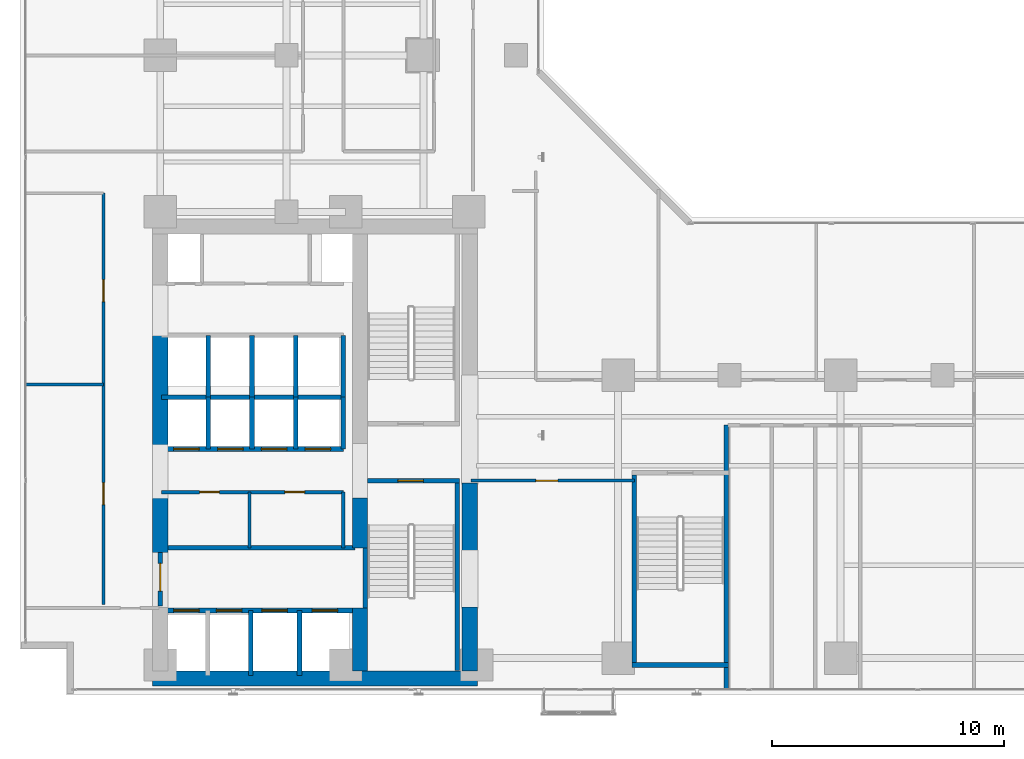
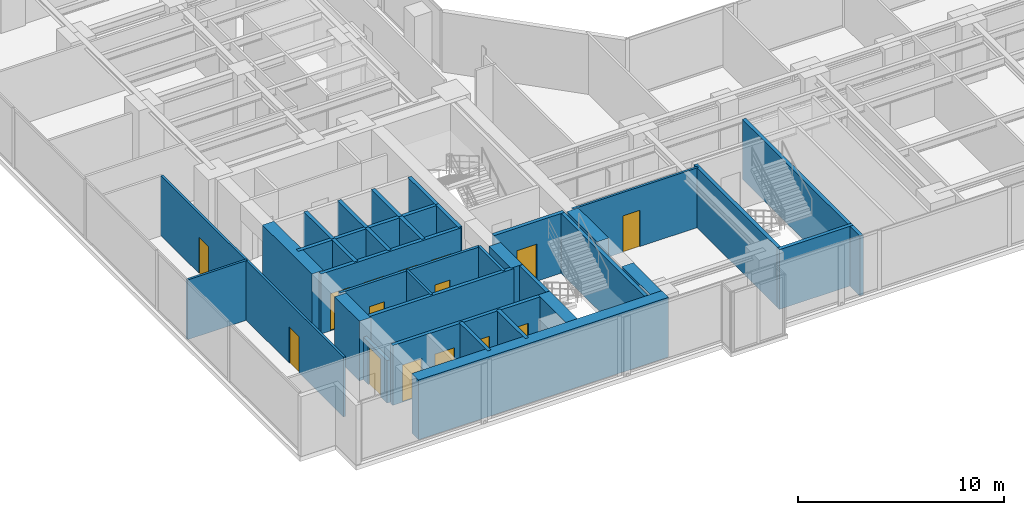
# One storey, part 19 of 26: 34 walls, 15 doors, 15 openings.
"""IFC4 building model written with IfcOpenShell, lengths in metres."""

from ifc_helpers import new_model, si_unit, direction, frame, frame_2d, origin, place, context, subcontext, project, spatial, rectangle, extrude, material, layer, layer_set, type_object, element, fill, save


model = new_model("IFC4")

# Units and contexts
model_context = context("Model", 3, precision=1e-05, world=origin(), true_north=direction((0.0, 1.0)))
body_context = subcontext(model_context, "Body", "Model", "MODEL_VIEW")
ifc_project = project(units=[si_unit("LENGTHUNIT", "METRE"), si_unit("AREAUNIT", "SQUARE_METRE"), si_unit("VOLUMEUNIT", "CUBIC_METRE"), si_unit("PLANEANGLEUNIT", "RADIAN"), si_unit("MASSUNIT", "GRAM", prefix="KILO")], contexts=[model_context])

# Site, building, storey
site_placement = place(None, origin())
site = spatial("IfcSite", under=ifc_project, at=site_placement, CompositionType="ELEMENT")
building_placement = place(site_placement, origin())
building = spatial("IfcBuilding", under=site, at=building_placement, Name="Kolvaren Waterfront Exchange", CompositionType="ELEMENT")
storey_placement = place(building_placement, frame((0.0, 0.0, 122.10009765625)))
storey = spatial("IfcBuildingStorey", under=building, at=storey_placement, Name="L31", CompositionType="ELEMENT", Elevation=122.10009765625)

# Wall, opening, door
ifc_material_1 = material(Name="Precast concrete C40/50", Category="concrete")
ifc_layer_1 = layer(ifc_material_1, 0.199951171875, Name="Precast concrete C40/50")
ifc_layer_set_1 = layer_set([ifc_layer_1], Name="Precast concrete C40/50")
wall_type_1 = type_object("IfcWallType", Name="ARC-FIRE-200", PredefinedType="PARTITIONING", material=ifc_layer_set_1)
wall_1_placement = place(storey_placement, frame((16.39990234375, 12.85009765625, 0.0), z_axis=(0.0, 0.0, 1.0), x_axis=(1.0, 0.0, 0.0)))
wall_1 = element("IfcWall", 1, at=wall_1_placement, inside=storey, type_object=wall_type_1, Name="L31 interior wall PW-L31-ST1-THROAT-S", PredefinedType="PARTITIONING", context=body_context, shape_type="SweptSolid", body=[
    extrude(rectangle(XDim=3.960205078125, YDim=0.199951171875, at=frame_2d((1.97998046875, 0.0))), origin(), (0.0, 0.0, 1.0), 3.539794921875),
])
opening_1_placement = place(wall_1_placement, frame((1.3037109375, 0.0, 0.0)))
opening_1 = element("IfcOpeningElement", 2, at=opening_1_placement, cuts=wall_1, Name="Opening FD2", PredefinedType="OPENING", context=body_context, shape_type="SweptSolid", body=[
    extrude(rectangle(XDim=1.10009765625, YDim=2.199951171875, at=frame_2d((0.550048828125, 1.10009765625))), frame((0.0, 0.10986328125, 0.0), z_axis=(0.0, -1.0, 0.0), x_axis=(1.0, 0.0, 0.0)), (0.0, 0.0, 1.0), 0.219970703125),
])
ifc_material_2 = material(Name="Pressed steel smoke-seal fire door", Category="steel")
door_type_1 = type_object("IfcDoorType", Name="ARC-FD-1100", OperationType="NOTDEFINED", PredefinedType="DOOR", material=ifc_material_2)
door_1_placement = place(opening_1_placement, frame((1.10009765625, 0.0, 0.0), z_axis=(0.0, 0.0, 1.0), x_axis=(-1.0, 0.0, 0.0)))
door_1 = element("IfcDoor", 3, at=door_1_placement, inside=storey, type_object=door_type_1, Name="L31 door DR-L31-ST1-IN (FD2)", OperationType="SINGLE_SWING_LEFT", OverallHeight=2.199951171875, OverallWidth=1.10009765625, PredefinedType="DOOR", context=body_context, shape_type="SweptSolid", body=[
    extrude(rectangle(XDim=1.10009765625, YDim=2.199951171875, at=frame_2d((0.550048828125, 1.10009765625))), frame((0.0, 0.02490234375, 0.0), z_axis=(0.0, -1.0, 0.0), x_axis=(1.0, 0.0, 0.0)), (0.0, 0.0, 1.0), 0.050048828125),
])
fill(opening_1, door_1)

# Wall
wall_2_placement = place(storey_placement, frame((7.5, 9.949951171875, 0.0), z_axis=(0.0, 0.0, 1.0), x_axis=(1.0, 0.0, 0.0)))
element("IfcWall", 4, at=wall_2_placement, inside=storey, type_object=wall_type_1, Name="L31 interior wall PW-L31-FF-N", PredefinedType="PARTITIONING", context=body_context, shape_type="SweptSolid", body=[
    extrude(rectangle(XDim=8.35009765625, YDim=0.199951171875, at=frame_2d((4.175048828125, 0.0))), origin(), (0.0, 0.0, 1.0), 3.539794921875),
])

# Wall, opening, door
wall_3_placement = place(storey_placement, frame((7.449951171875, 7.449951171875, 0.0), z_axis=(0.0, 0.0, 1.0), x_axis=(0.0, 1.0, 0.0)))
wall_3 = element("IfcWall", 5, at=wall_3_placement, inside=storey, type_object=wall_type_1, Name="L31 interior wall PW-L31-FF-W-DOOR", PredefinedType="PARTITIONING", context=body_context, shape_type="SweptSolid", body=[
    extrude(rectangle(XDim=2.300048828125, YDim=0.199951171875, at=frame_2d((1.14990234375, 0.0))), origin(), (0.0, 0.0, 1.0), 2.52001953125),
])
opening_2_placement = place(wall_3_placement, frame((0.63330078125, 0.0, 0.0)))
opening_2 = element("IfcOpeningElement", 6, at=opening_2_placement, cuts=wall_3, Name="Opening FD3", PredefinedType="OPENING", context=body_context, shape_type="SweptSolid", body=[
    extrude(rectangle(XDim=1.199951171875, YDim=2.25, at=frame_2d((0.60009765625, 1.125))), frame((0.0, 0.10986328125, 0.0), z_axis=(0.0, -1.0, 0.0), x_axis=(1.0, 0.0, 0.0)), (0.0, 0.0, 1.0), 0.219970703125),
])
ifc_material_3 = material(Name="Pressed steel fire door", Category="steel")
door_type_2 = type_object("IfcDoorType", Name="ARC-FD-1200", OperationType="NOTDEFINED", PredefinedType="DOOR", material=ifc_material_3)
door_2_placement = place(opening_2_placement, frame((1.199951171875, 0.0, 0.0), z_axis=(0.0, 0.0, 1.0), x_axis=(-1.0, 0.0, 0.0)))
door_2 = element("IfcDoor", 7, at=door_2_placement, inside=storey, type_object=door_type_2, Name="L31 door DR-L31-FF-OUT (FD3)", OperationType="SINGLE_SWING_RIGHT", OverallHeight=2.25, OverallWidth=1.199951171875, PredefinedType="DOOR", context=body_context, shape_type="SweptSolid", body=[
    extrude(rectangle(XDim=1.199951171875, YDim=2.25, at=frame_2d((0.60009765625, 1.125))), frame((0.0, 0.02490234375, 0.0), z_axis=(0.0, -1.0, 0.0), x_axis=(1.0, 0.0, 0.0)), (0.0, 0.0, 1.0), 0.050048828125),
])
fill(opening_2, door_2)

# Wall
ifc_material_4 = material(Name="Acoustic gypsum steel stud", Category="steel")
ifc_layer_2 = layer(ifc_material_4, 0.125, Name="Acoustic gypsum steel stud")
ifc_layer_set_2 = layer_set([ifc_layer_2], Name="Acoustic gypsum steel stud")
wall_type_2 = type_object("IfcWallType", Name="ARC-PART-125", PredefinedType="PARTITIONING", material=ifc_layer_set_2)
wall_4_placement = place(storey_placement, frame((11.300048828125, 9.949951171875, 0.0), z_axis=(0.0, 0.0, 1.0), x_axis=(0.0, 1.0, 0.0)))
element("IfcWall", 8, at=wall_4_placement, inside=storey, type_object=wall_type_2, Name="L31 interior wall PW-L31-REC-PL-MID", PredefinedType="PARTITIONING", context=body_context, shape_type="SweptSolid", body=[
    extrude(rectangle(XDim=2.41015625, YDim=0.125, at=frame_2d((1.205078125, 0.0))), origin(), (0.0, 0.0, 1.0), 3.539794921875),
])

# Wall, openings, doors
wall_5_placement = place(storey_placement, frame((5.0, 7.5, 0.0), z_axis=(0.0, 0.0, 1.0), x_axis=(0.0, 1.0, 0.0)))
wall_5 = element("IfcWall", 9, at=wall_5_placement, inside=storey, type_object=wall_type_2, Name="L31 interior wall PW-L31-WFLANK-E", PredefinedType="PARTITIONING", context=body_context, shape_type="SweptSolid", body=[
    extrude(rectangle(XDim=17.75, YDim=0.125, at=frame_2d((8.875, 0.0))), origin(), (0.0, 0.0, 1.0), 3.539794921875),
])
opening_3_placement = place(wall_5_placement, frame((4.320068359375, 0.0, 0.0)))
opening_3 = element("IfcOpeningElement", 10, at=opening_3_placement, cuts=wall_5, Name="Opening D02", PredefinedType="OPENING", context=body_context, shape_type="SweptSolid", body=[
    extrude(rectangle(XDim=0.949951171875, YDim=2.14990234375, at=frame_2d((0.47509765625, 1.074951171875))), frame((0.0, 0.072509765625, 0.0), z_axis=(0.0, -1.0, 0.0), x_axis=(1.0, 0.0, 0.0)), (0.0, 0.0, 1.0), 0.14501953125),
])
opening_4_placement = place(wall_5_placement, frame((13.078857421875, 0.0, 0.0)))
opening_4 = element("IfcOpeningElement", 11, at=opening_4_placement, cuts=wall_5, Name="Opening D02", PredefinedType="OPENING", context=body_context, shape_type="SweptSolid", body=[
    extrude(rectangle(XDim=0.949951171875, YDim=2.14990234375, at=frame_2d((0.47509765625, 1.074951171875))), frame((0.0, 0.072509765625, 0.0), z_axis=(0.0, -1.0, 0.0), x_axis=(1.0, 0.0, 0.0)), (0.0, 0.0, 1.0), 0.14501953125),
])
ifc_material_5 = material(Name="Oak veneer acoustic timber", Category="wood")
door_type_3 = type_object("IfcDoorType", Name="ARC-DR-950", OperationType="NOTDEFINED", PredefinedType="DOOR", material=ifc_material_5)
door_3_placement = place(opening_3_placement, origin())
door_3 = element("IfcDoor", 12, at=door_3_placement, inside=storey, type_object=door_type_3, Name="L31 door DR-L31-WFL1-D (D02)", OperationType="SINGLE_SWING_RIGHT", OverallHeight=2.14990234375, OverallWidth=0.949951171875, PredefinedType="DOOR", context=body_context, shape_type="SweptSolid", body=[
    extrude(rectangle(XDim=0.949951171875, YDim=2.14990234375, at=frame_2d((0.47509765625, 1.074951171875))), frame((0.0, 0.02490234375, 0.0), z_axis=(0.0, -1.0, 0.0), x_axis=(1.0, 0.0, 0.0)), (0.0, 0.0, 1.0), 0.050048828125),
])
fill(opening_3, door_3)
door_4_placement = place(opening_4_placement, origin())
door_4 = element("IfcDoor", 13, at=door_4_placement, inside=storey, type_object=door_type_3, Name="L31 door DR-L31-WFL2-D (D02)", OperationType="SINGLE_SWING_LEFT", OverallHeight=2.14990234375, OverallWidth=0.949951171875, PredefinedType="DOOR", context=body_context, shape_type="SweptSolid", body=[
    extrude(rectangle(XDim=0.949951171875, YDim=2.14990234375, at=frame_2d((0.47509765625, 1.074951171875))), frame((0.0, 0.02490234375, 0.0), z_axis=(0.0, -1.0, 0.0), x_axis=(1.0, 0.0, 0.0)), (0.0, 0.0, 1.0), 0.050048828125),
])
fill(opening_4, door_4)

# Wall
wall_6_placement = place(storey_placement, frame((1.639892578125, 17.0, 0.0), z_axis=(0.0, 0.0, 1.0), x_axis=(1.0, 0.0, 0.0)))
element("IfcWall", 14, at=wall_6_placement, inside=storey, type_object=wall_type_2, Name="L31 interior wall PW-L31-WFLANK-MID", PredefinedType="PARTITIONING", context=body_context, shape_type="SweptSolid", body=[
    extrude(rectangle(XDim=3.360107421875, YDim=0.125, at=frame_2d((1.68017578125, 0.0))), origin(), (0.0, 0.0, 1.0), 3.539794921875),
])

# Wall, opening, door
wall_7_placement = place(storey_placement, frame((20.85009765625, 12.85009765625, 0.0), z_axis=(0.0, 0.0, 1.0), x_axis=(1.0, 0.0, 0.0)))
wall_7 = element("IfcWall", 15, at=wall_7_placement, inside=storey, type_object=wall_type_2, Name="L31 interior wall PW-L31-SWST3-N", PredefinedType="PARTITIONING", context=body_context, shape_type="SweptSolid", body=[
    extrude(rectangle(XDim=7.0498046875, YDim=0.125, at=frame_2d((3.52490234375, 0.0))), origin(), (0.0, 0.0, 1.0), 3.539794921875),
])
opening_5_placement = place(wall_7_placement, frame((2.800048828125, 0.0, 0.0)))
opening_5 = element("IfcOpeningElement", 16, at=opening_5_placement, cuts=wall_7, Name="Opening D02", PredefinedType="OPENING", context=body_context, shape_type="SweptSolid", body=[
    extrude(rectangle(XDim=0.949951171875, YDim=2.14990234375, at=frame_2d((0.47509765625, 1.074951171875))), frame((0.0, 0.072509765625, 0.0), z_axis=(0.0, -1.0, 0.0), x_axis=(1.0, 0.0, 0.0)), (0.0, 0.0, 1.0), 0.14501953125),
])
door_5_placement = place(opening_5_placement, origin())
door_5 = element("IfcDoor", 17, at=door_5_placement, inside=storey, type_object=door_type_3, Name="L31 door DR-L31-SWST3-D (D02)", OperationType="SINGLE_SWING_RIGHT", OverallHeight=2.14990234375, OverallWidth=0.949951171875, PredefinedType="DOOR", context=body_context, shape_type="SweptSolid", body=[
    extrude(rectangle(XDim=0.949951171875, YDim=2.14990234375, at=frame_2d((0.47509765625, 1.074951171875))), frame((0.0, 0.02490234375, 0.0), z_axis=(0.0, -1.0, 0.0), x_axis=(1.0, 0.0, 0.0)), (0.0, 0.0, 1.0), 0.050048828125),
])
fill(opening_5, door_5)

# Wall, openings, doors
ifc_material_6 = material(Name="Gypsum fireboard steel stud", Category="steel")
ifc_layer_3 = layer(ifc_material_6, 0.14990234375, Name="Gypsum fireboard steel stud")
ifc_layer_set_3 = layer_set([ifc_layer_3], Name="Gypsum fireboard steel stud")
wall_type_3 = type_object("IfcWallType", Name="ARC-PART-150", PredefinedType="PARTITIONING", material=ifc_layer_set_3)
wall_8_placement = place(storey_placement, frame((7.5, 12.360107421875, 0.0), z_axis=(0.0, 0.0, 1.0), x_axis=(1.0, 0.0, 0.0)))
wall_8 = element("IfcWall", 18, at=wall_8_placement, inside=storey, type_object=wall_type_3, Name="L31 interior wall PW-L31-REC-PL-N", PredefinedType="PARTITIONING", context=body_context, shape_type="SweptSolid", body=[
    extrude(rectangle(XDim=7.85009765625, YDim=0.14990234375, at=frame_2d((3.925048828125, 0.0))), origin(), (0.0, 0.0, 1.0), 3.539794921875),
])
opening_6_placement = place(wall_8_placement, frame((1.64990234375, 0.0, 0.0)))
opening_6 = element("IfcOpeningElement", 19, at=opening_6_placement, cuts=wall_8, Name="Opening D01", PredefinedType="OPENING", context=body_context, shape_type="SweptSolid", body=[
    extrude(rectangle(XDim=0.85009765625, YDim=2.14990234375, at=frame_2d((0.425048828125, 1.074951171875))), frame((0.0, 0.0849609375, 0.0), z_axis=(0.0, -1.0, 0.0), x_axis=(1.0, 0.0, 0.0)), (0.0, 0.0, 1.0), 0.169921875),
])
opening_7_placement = place(wall_8_placement, frame((5.329345703125, 0.0, 0.0)))
opening_7 = element("IfcOpeningElement", 20, at=opening_7_placement, cuts=wall_8, Name="Opening D01", PredefinedType="OPENING", context=body_context, shape_type="SweptSolid", body=[
    extrude(rectangle(XDim=0.85009765625, YDim=2.14990234375, at=frame_2d((0.425048828125, 1.074951171875))), frame((0.0, 0.0849609375, 0.0), z_axis=(0.0, -1.0, 0.0), x_axis=(1.0, 0.0, 0.0)), (0.0, 0.0, 1.0), 0.169921875),
])
ifc_material_7 = material(Name="Oak veneer timber leaf", Category="wood")
door_type_4 = type_object("IfcDoorType", Name="ARC-DR-900", OperationType="NOTDEFINED", PredefinedType="DOOR", material=ifc_material_7)
door_6_placement = place(opening_6_placement, origin())
door_6 = element("IfcDoor", 21, at=door_6_placement, inside=storey, type_object=door_type_4, Name="L31 door DR-L31-REC-PL-D1 (D01)", OperationType="SINGLE_SWING_LEFT", OverallHeight=2.14990234375, OverallWidth=0.85009765625, PredefinedType="DOOR", context=body_context, shape_type="SweptSolid", body=[
    extrude(rectangle(XDim=0.85009765625, YDim=2.14990234375, at=frame_2d((0.425048828125, 1.074951171875))), frame((0.0, 0.02490234375, 0.0), z_axis=(0.0, -1.0, 0.0), x_axis=(1.0, 0.0, 0.0)), (0.0, 0.0, 1.0), 0.050048828125),
])
fill(opening_6, door_6)
door_7_placement = place(opening_7_placement, origin())
door_7 = element("IfcDoor", 22, at=door_7_placement, inside=storey, type_object=door_type_4, Name="L31 door DR-L31-REC-PL-D2 (D01)", OperationType="SINGLE_SWING_RIGHT", OverallHeight=2.14990234375, OverallWidth=0.85009765625, PredefinedType="DOOR", context=body_context, shape_type="SweptSolid", body=[
    extrude(rectangle(XDim=0.85009765625, YDim=2.14990234375, at=frame_2d((0.425048828125, 1.074951171875))), frame((0.0, 0.02490234375, 0.0), z_axis=(0.0, -1.0, 0.0), x_axis=(1.0, 0.0, 0.0)), (0.0, 0.0, 1.0), 0.050048828125),
])
fill(opening_7, door_7)

# Walls
wall_9_placement = place(storey_placement, frame((15.35009765625, 9.949951171875, 0.0), z_axis=(0.0, 0.0, 1.0), x_axis=(0.0, 1.0, 0.0)))
element("IfcWall", 23, at=wall_9_placement, inside=storey, type_object=wall_type_3, Name="L31 interior wall PW-L31-REC-PL-E", PredefinedType="PARTITIONING", context=body_context, shape_type="SweptSolid", body=[
    extrude(rectangle(XDim=2.41015625, YDim=0.14990234375, at=frame_2d((1.205078125, 0.0))), origin(), (0.0, 0.0, 1.0), 3.539794921875),
])
ifc_material_8 = material(Name="Concrete C40/50", Category="concrete")
ifc_layer_4 = layer(ifc_material_8, 0.199951171875, Name="Concrete C40/50")
ifc_layer_set_4 = layer_set([ifc_layer_4], Name="Concrete C40/50")
wall_type_4 = type_object("IfcWallType", Name="ARC-SHAFT-200", PredefinedType="PARTITIONING", material=ifc_layer_set_4)
wall_10_placement = place(storey_placement, frame((16.300048828125, 7.360107421875, 0.0), z_axis=(0.0, 0.0, 1.0), x_axis=(0.0, 1.0, 0.0)))
element("IfcWall", 24, at=wall_10_placement, inside=storey, type_object=wall_type_4, Name="L31 structural stairwell wall PW-L31-ST1-W", PredefinedType="SHEAR", context=body_context, shape_type="SweptSolid", body=[
    extrude(rectangle(XDim=2.579833984375, YDim=0.199951171875, at=frame_2d((1.2900390625, 0.0))), origin(), (0.0, 0.0, 1.0), 3.539794921875),
])
wall_11_placement = place(storey_placement, frame((20.260009765625, 4.659912109375, 0.0), z_axis=(0.0, 0.0, 1.0), x_axis=(0.0, 1.0, 0.0)))
element("IfcWall", 25, at=wall_11_placement, inside=storey, type_object=wall_type_4, Name="L31 structural stairwell wall PW-L31-ST1-E", PredefinedType="SHEAR", context=body_context, shape_type="SweptSolid", body=[
    extrude(rectangle(XDim=8.090087890625, YDim=0.199951171875, at=frame_2d((4.044921875, 0.0))), origin(), (0.0, 0.0, 1.0), 3.539794921875),
])
wall_12_placement = place(storey_placement, frame((27.89990234375, 5.0, 0.0), z_axis=(0.0, 0.0, 1.0), x_axis=(0.0, 1.0, 0.0)))
element("IfcWall", 26, at=wall_12_placement, inside=storey, type_object=wall_type_4, Name="L31 structural stairwell wall PW-L31-ST3-W", PredefinedType="SHEAR", context=body_context, shape_type="SweptSolid", body=[
    extrude(rectangle(XDim=8.10009765625, YDim=0.199951171875, at=frame_2d((4.050048828125, 0.0))), origin(), (0.0, 0.0, 1.0), 3.539794921875),
])
wall_13_placement = place(storey_placement, frame((31.860107421875, 3.840087890625, 0.0), z_axis=(0.0, 0.0, 1.0), x_axis=(0.0, 1.0, 0.0)))
element("IfcWall", 27, at=wall_13_placement, inside=storey, type_object=wall_type_4, Name="L31 structural stairwell wall PW-L31-ST3-E", PredefinedType="SHEAR", context=body_context, shape_type="SweptSolid", body=[
    extrude(rectangle(XDim=11.409912109375, YDim=0.199951171875, at=frame_2d((5.705078125, 0.0))), origin(), (0.0, 0.0, 1.0), 3.539794921875),
])
wall_14_placement = place(storey_placement, frame((27.800048828125, 4.89990234375, 0.0), z_axis=(0.0, 0.0, 1.0), x_axis=(1.0, 0.0, 0.0)))
element("IfcWall", 28, at=wall_14_placement, inside=storey, type_object=wall_type_4, Name="L31 structural stairwell wall PW-L31-ST3-S", PredefinedType="SHEAR", context=body_context, shape_type="SweptSolid", body=[
    extrude(rectangle(XDim=4.159912109375, YDim=0.199951171875, at=frame_2d((2.080078125, 0.0))), origin(), (0.0, 0.0, 1.0), 3.539794921875),
])

# Wall, openings, doors
wall_15_placement = place(storey_placement, frame((7.5, 7.25, 0.0), z_axis=(0.0, 0.0, 1.0), x_axis=(1.0, 0.0, 0.0)))
wall_15 = element("IfcWall", 29, at=wall_15_placement, inside=storey, type_object=wall_type_4, Name="L31 interior wall PW-L31-FF-S", PredefinedType="PARTITIONING", context=body_context, shape_type="SweptSolid", body=[
    extrude(rectangle(XDim=8.35009765625, YDim=0.199951171875, at=frame_2d((4.175048828125, 0.0))), origin(), (0.0, 0.0, 1.0), 3.539794921875),
])
opening_8_placement = place(wall_15_placement, frame((0.530029296875, 0.0, 0.0)))
opening_8 = element("IfcOpeningElement", 30, at=opening_8_placement, cuts=wall_15, Name="Opening LD1", PredefinedType="OPENING", context=body_context, shape_type="SweptSolid", body=[
    extrude(rectangle(XDim=1.10009765625, YDim=2.199951171875, at=frame_2d((0.550048828125, 1.10009765625))), frame((0.0, 0.10986328125, 0.0), z_axis=(0.0, -1.0, 0.0), x_axis=(1.0, 0.0, 0.0)), (0.0, 0.0, 1.0), 0.219970703125),
])
opening_9_placement = place(wall_15_placement, frame((2.3701171875, 0.0, 0.0)))
opening_9 = element("IfcOpeningElement", 31, at=opening_9_placement, cuts=wall_15, Name="Opening LD1", PredefinedType="OPENING", context=body_context, shape_type="SweptSolid", body=[
    extrude(rectangle(XDim=1.10009765625, YDim=2.199951171875, at=frame_2d((0.550048828125, 1.10009765625))), frame((0.0, 0.10986328125, 0.0), z_axis=(0.0, -1.0, 0.0), x_axis=(1.0, 0.0, 0.0)), (0.0, 0.0, 1.0), 0.219970703125),
])
opening_10_placement = place(wall_15_placement, frame((4.330078125, 0.0, 0.0)))
opening_10 = element("IfcOpeningElement", 32, at=opening_10_placement, cuts=wall_15, Name="Opening LD1", PredefinedType="OPENING", context=body_context, shape_type="SweptSolid", body=[
    extrude(rectangle(XDim=1.10009765625, YDim=2.199951171875, at=frame_2d((0.550048828125, 1.10009765625))), frame((0.0, 0.10986328125, 0.0), z_axis=(0.0, -1.0, 0.0), x_axis=(1.0, 0.0, 0.0)), (0.0, 0.0, 1.0), 0.219970703125),
])
opening_11_placement = place(wall_15_placement, frame((6.5, 0.0, 0.0)))
opening_11 = element("IfcOpeningElement", 33, at=opening_11_placement, cuts=wall_15, Name="Opening LD1", PredefinedType="OPENING", context=body_context, shape_type="SweptSolid", body=[
    extrude(rectangle(XDim=1.10009765625, YDim=2.199951171875, at=frame_2d((0.550048828125, 1.10009765625))), frame((0.0, 0.10986328125, 0.0), z_axis=(0.0, -1.0, 0.0), x_axis=(1.0, 0.0, 0.0)), (0.0, 0.0, 1.0), 0.219970703125),
])
ifc_material_9 = material(Name="Stainless steel sliding landing door", Category="steel")
door_type_5 = type_object("IfcDoorType", Name="ARC-LD-FF", OperationType="SLIDING_TO_LEFT", PredefinedType="DOOR", material=ifc_material_9)
door_8_placement = place(opening_8_placement, origin())
door_8 = element("IfcDoor", 34, at=door_8_placement, inside=storey, type_object=door_type_5, Name="L31 door LD-L31-FFL1 (LD1)", OperationType="SLIDING_TO_LEFT", OverallHeight=2.199951171875, OverallWidth=1.10009765625, PredefinedType="DOOR", context=body_context, shape_type="SweptSolid", body=[
    extrude(rectangle(XDim=1.10009765625, YDim=2.199951171875, at=frame_2d((0.550048828125, 1.10009765625))), frame((0.0, 0.02490234375, 0.0), z_axis=(0.0, -1.0, 0.0), x_axis=(1.0, 0.0, 0.0)), (0.0, 0.0, 1.0), 0.050048828125),
])
fill(opening_8, door_8)
door_9_placement = place(opening_9_placement, origin())
door_9 = element("IfcDoor", 35, at=door_9_placement, inside=storey, type_object=door_type_5, Name="L31 door LD-L31-FFL2 (LD1)", OperationType="SLIDING_TO_LEFT", OverallHeight=2.199951171875, OverallWidth=1.10009765625, PredefinedType="DOOR", context=body_context, shape_type="SweptSolid", body=[
    extrude(rectangle(XDim=1.10009765625, YDim=2.199951171875, at=frame_2d((0.550048828125, 1.10009765625))), frame((0.0, 0.02490234375, 0.0), z_axis=(0.0, -1.0, 0.0), x_axis=(1.0, 0.0, 0.0)), (0.0, 0.0, 1.0), 0.050048828125),
])
fill(opening_9, door_9)
door_10_placement = place(opening_10_placement, origin())
door_10 = element("IfcDoor", 36, at=door_10_placement, inside=storey, type_object=door_type_5, Name="L31 door LD-L31-GL1 (LD1)", OperationType="SLIDING_TO_LEFT", OverallHeight=2.199951171875, OverallWidth=1.10009765625, PredefinedType="DOOR", context=body_context, shape_type="SweptSolid", body=[
    extrude(rectangle(XDim=1.10009765625, YDim=2.199951171875, at=frame_2d((0.550048828125, 1.10009765625))), frame((0.0, 0.02490234375, 0.0), z_axis=(0.0, -1.0, 0.0), x_axis=(1.0, 0.0, 0.0)), (0.0, 0.0, 1.0), 0.050048828125),
])
fill(opening_10, door_10)
door_11_placement = place(opening_11_placement, origin())
door_11 = element("IfcDoor", 37, at=door_11_placement, inside=storey, type_object=door_type_5, Name="L31 door LD-L31-GL2 (LD1)", OperationType="SLIDING_TO_LEFT", OverallHeight=2.199951171875, OverallWidth=1.10009765625, PredefinedType="DOOR", context=body_context, shape_type="SweptSolid", body=[
    extrude(rectangle(XDim=1.10009765625, YDim=2.199951171875, at=frame_2d((0.550048828125, 1.10009765625))), frame((0.0, 0.02490234375, 0.0), z_axis=(0.0, -1.0, 0.0), x_axis=(1.0, 0.0, 0.0)), (0.0, 0.0, 1.0), 0.050048828125),
])
fill(opening_11, door_11)

# Walls
for number, where, z_axis, x_axis, name in (
    (38, (11.360107421875, 4.449951171875, 0.0), (0.0, 0.0, 1.0), (0.0, 1.0, 0.0), "L31 interior wall PW-L31-SH1-DIV-113"),
    (39, (13.4599609375, 4.449951171875, 0.0), (0.0, 0.0, 1.0), (0.0, 1.0, 0.0), "L31 interior wall PW-L31-SH1-DIV-134"),
):
    element("IfcWall", number, at=place(storey_placement, frame(where, z_axis=z_axis, x_axis=x_axis)), inside=storey, type_object=wall_type_4, Name=name, PredefinedType="PARTITIONING", context=body_context, shape_type="SweptSolid", body=[
        extrude(rectangle(XDim=2.800048828125, YDim=0.199951171875, at=frame_2d((1.39990234375, 0.0))), origin(), (0.0, 0.0, 1.0), 3.539794921875),
    ])

# Wall, openings, doors
wall_16_placement = place(storey_placement, frame((7.5, 14.219970703125, 0.0), z_axis=(0.0, 0.0, 1.0), x_axis=(1.0, 0.0, 0.0)))
wall_16 = element("IfcWall", 40, at=wall_16_placement, inside=storey, type_object=wall_type_4, Name="L31 interior wall PW-L31-PM-S", PredefinedType="PARTITIONING", context=body_context, shape_type="SweptSolid", body=[
    extrude(rectangle(XDim=7.85009765625, YDim=0.199951171875, at=frame_2d((3.925048828125, 0.0))), origin(), (0.0, 0.0, 1.0), 3.539794921875),
])
opening_12_placement = place(wall_16_placement, frame((0.530029296875, 0.0, 0.0)))
opening_12 = element("IfcOpeningElement", 41, at=opening_12_placement, cuts=wall_16, Name="Opening LD2", PredefinedType="OPENING", context=body_context, shape_type="SweptSolid", body=[
    extrude(rectangle(XDim=1.10009765625, YDim=2.199951171875, at=frame_2d((0.550048828125, 1.10009765625))), frame((0.0, 0.10986328125, 0.0), z_axis=(0.0, -1.0, 0.0), x_axis=(1.0, 0.0, 0.0)), (0.0, 0.0, 1.0), 0.219970703125),
])
opening_13_placement = place(wall_16_placement, frame((2.419921875, 0.0, 0.0)))
opening_13 = element("IfcOpeningElement", 42, at=opening_13_placement, cuts=wall_16, Name="Opening LD2", PredefinedType="OPENING", context=body_context, shape_type="SweptSolid", body=[
    extrude(rectangle(XDim=1.10009765625, YDim=2.199951171875, at=frame_2d((0.550048828125, 1.10009765625))), frame((0.0, 0.10986328125, 0.0), z_axis=(0.0, -1.0, 0.0), x_axis=(1.0, 0.0, 0.0)), (0.0, 0.0, 1.0), 0.219970703125),
])
opening_14_placement = place(wall_16_placement, frame((4.31005859375, 0.0, 0.0)))
opening_14 = element("IfcOpeningElement", 43, at=opening_14_placement, cuts=wall_16, Name="Opening LD2", PredefinedType="OPENING", context=body_context, shape_type="SweptSolid", body=[
    extrude(rectangle(XDim=1.10009765625, YDim=2.199951171875, at=frame_2d((0.550048828125, 1.10009765625))), frame((0.0, 0.10986328125, 0.0), z_axis=(0.0, -1.0, 0.0), x_axis=(1.0, 0.0, 0.0)), (0.0, 0.0, 1.0), 0.219970703125),
])
opening_15_placement = place(wall_16_placement, frame((6.199951171875, 0.0, 0.0)))
opening_15 = element("IfcOpeningElement", 44, at=opening_15_placement, cuts=wall_16, Name="Opening LD2", PredefinedType="OPENING", context=body_context, shape_type="SweptSolid", body=[
    extrude(rectangle(XDim=1.10009765625, YDim=2.199951171875, at=frame_2d((0.550048828125, 1.10009765625))), frame((0.0, 0.10986328125, 0.0), z_axis=(0.0, -1.0, 0.0), x_axis=(1.0, 0.0, 0.0)), (0.0, 0.0, 1.0), 0.219970703125),
])
ifc_material_10 = material(Name="Brushed bronze sliding landing door", Category="aluminium")
door_type_6 = type_object("IfcDoorType", Name="ARC-LD-PAX", OperationType="SLIDING_TO_LEFT", PredefinedType="DOOR", material=ifc_material_10)
door_12_placement = place(opening_12_placement, frame((1.10009765625, 0.0, 0.0), z_axis=(0.0, 0.0, 1.0), x_axis=(-1.0, 0.0, 0.0)))
door_12 = element("IfcDoor", 45, at=door_12_placement, inside=storey, type_object=door_type_6, Name="L31 door LD-L31-PM1 (LD2)", OperationType="SLIDING_TO_LEFT", OverallHeight=2.199951171875, OverallWidth=1.10009765625, PredefinedType="DOOR", context=body_context, shape_type="SweptSolid", body=[
    extrude(rectangle(XDim=1.10009765625, YDim=2.199951171875, at=frame_2d((0.550048828125, 1.10009765625))), frame((0.0, 0.02490234375, 0.0), z_axis=(0.0, -1.0, 0.0), x_axis=(1.0, 0.0, 0.0)), (0.0, 0.0, 1.0), 0.050048828125),
])
fill(opening_12, door_12)
door_13_placement = place(opening_13_placement, frame((1.10009765625, 0.0, 0.0), z_axis=(0.0, 0.0, 1.0), x_axis=(-1.0, 0.0, 0.0)))
door_13 = element("IfcDoor", 46, at=door_13_placement, inside=storey, type_object=door_type_6, Name="L31 door LD-L31-PM2 (LD2)", OperationType="SLIDING_TO_LEFT", OverallHeight=2.199951171875, OverallWidth=1.10009765625, PredefinedType="DOOR", context=body_context, shape_type="SweptSolid", body=[
    extrude(rectangle(XDim=1.10009765625, YDim=2.199951171875, at=frame_2d((0.550048828125, 1.10009765625))), frame((0.0, 0.02490234375, 0.0), z_axis=(0.0, -1.0, 0.0), x_axis=(1.0, 0.0, 0.0)), (0.0, 0.0, 1.0), 0.050048828125),
])
fill(opening_13, door_13)
door_14_placement = place(opening_14_placement, frame((1.10009765625, 0.0, 0.0), z_axis=(0.0, 0.0, 1.0), x_axis=(-1.0, 0.0, 0.0)))
door_14 = element("IfcDoor", 47, at=door_14_placement, inside=storey, type_object=door_type_6, Name="L31 door LD-L31-PM3 (LD2)", OperationType="SLIDING_TO_LEFT", OverallHeight=2.199951171875, OverallWidth=1.10009765625, PredefinedType="DOOR", context=body_context, shape_type="SweptSolid", body=[
    extrude(rectangle(XDim=1.10009765625, YDim=2.199951171875, at=frame_2d((0.550048828125, 1.10009765625))), frame((0.0, 0.02490234375, 0.0), z_axis=(0.0, -1.0, 0.0), x_axis=(1.0, 0.0, 0.0)), (0.0, 0.0, 1.0), 0.050048828125),
])
fill(opening_14, door_14)
door_15_placement = place(opening_15_placement, frame((1.10009765625, 0.0, 0.0), z_axis=(0.0, 0.0, 1.0), x_axis=(-1.0, 0.0, 0.0)))
door_15 = element("IfcDoor", 48, at=door_15_placement, inside=storey, type_object=door_type_6, Name="L31 door LD-L31-PM4 (LD2)", OperationType="SLIDING_TO_LEFT", OverallHeight=2.199951171875, OverallWidth=1.10009765625, PredefinedType="DOOR", context=body_context, shape_type="SweptSolid", body=[
    extrude(rectangle(XDim=1.10009765625, YDim=2.199951171875, at=frame_2d((0.550048828125, 1.10009765625))), frame((0.0, 0.02490234375, 0.0), z_axis=(0.0, -1.0, 0.0), x_axis=(1.0, 0.0, 0.0)), (0.0, 0.0, 1.0), 0.050048828125),
])
fill(opening_15, door_15)

# Walls
wall_17_placement = place(storey_placement, frame((7.5, 16.449951171875, 0.0), z_axis=(0.0, 0.0, 1.0), x_axis=(1.0, 0.0, 0.0)))
element("IfcWall", 49, at=wall_17_placement, inside=storey, type_object=wall_type_4, Name="L31 interior wall PW-L31-PM-N", PredefinedType="PARTITIONING", context=body_context, shape_type="SweptSolid", body=[
    extrude(rectangle(XDim=7.85009765625, YDim=0.199951171875, at=frame_2d((3.925048828125, 0.0))), origin(), (0.0, 0.0, 1.0), 3.539794921875),
])
for number, where, z_axis, x_axis, name in (
    (50, (15.35009765625, 14.219970703125, 0.0), (0.0, 0.0, 1.0), (0.0, 1.0, 0.0), "L31 interior wall PW-L31-PM-E"),
    (51, (9.52001953125, 14.219970703125, 0.0), (0.0, 0.0, 1.0), (0.0, 1.0, 0.0), "L31 interior wall PW-L31-SH3-DIV-95"),
    (52, (11.409912109375, 14.219970703125, 0.0), (0.0, 0.0, 1.0), (0.0, 1.0, 0.0), "L31 interior wall PW-L31-SH3-DIV-114"),
    (53, (13.300048828125, 14.219970703125, 0.0), (0.0, 0.0, 1.0), (0.0, 1.0, 0.0), "L31 interior wall PW-L31-SH3-DIV-133"),
):
    element("IfcWall", number, at=place(storey_placement, frame(where, z_axis=z_axis, x_axis=x_axis)), inside=storey, type_object=wall_type_4, Name=name, PredefinedType="PARTITIONING", context=body_context, shape_type="SweptSolid", body=[
        extrude(rectangle(XDim=2.22998046875, YDim=0.199951171875, at=frame_2d((1.114990234375, 0.0))), origin(), (0.0, 0.0, 1.0), 3.539794921875),
    ])
for number, where, z_axis, x_axis, name in (
    (54, (15.35009765625, 16.449951171875, 0.0), (0.0, 0.0, 1.0), (0.0, 1.0, 0.0), "L31 interior wall PW-L31-PH-E"),
    (55, (9.52001953125, 16.449951171875, 0.0), (0.0, 0.0, 1.0), (0.0, 1.0, 0.0), "L31 interior wall PW-L31-SH4-DIV-95"),
    (56, (11.409912109375, 16.449951171875, 0.0), (0.0, 0.0, 1.0), (0.0, 1.0, 0.0), "L31 interior wall PW-L31-SH4-DIV-114"),
    (57, (13.300048828125, 16.449951171875, 0.0), (0.0, 0.0, 1.0), (0.0, 1.0, 0.0), "L31 interior wall PW-L31-SH4-DIV-133"),
):
    element("IfcWall", number, at=place(storey_placement, frame(where, z_axis=z_axis, x_axis=x_axis)), inside=storey, type_object=wall_type_4, Name=name, PredefinedType="PARTITIONING", context=body_context, shape_type="SweptSolid", body=[
        extrude(rectangle(XDim=2.670166015625, YDim=0.199951171875, at=frame_2d((1.3349609375, 0.0))), origin(), (0.0, 0.0, 1.0), 3.539794921875),
    ])
ifc_material_11 = material(Name="Concrete C60/75", Category="concrete")
ifc_layer_5 = layer(ifc_material_11, 0.64990234375, Name="Concrete C60/75")
ifc_layer_set_5 = layer_set([ifc_layer_5], Name="Concrete C60/75")
wall_type_5 = type_object("IfcWallType", Name="STR-CWALL-650", PredefinedType="SHEAR", material=ifc_layer_set_5)
wall_18_placement = place(storey_placement, frame((7.125, 4.324951171875, 0.0), z_axis=(0.0, 0.0, 1.0), x_axis=(1.0, 0.0, 0.0)))
element("IfcWall", 58, at=wall_18_placement, inside=storey, type_object=wall_type_5, Name="L31 rear-core shear wall S", PredefinedType="SHEAR", context=body_context, shape_type="SweptSolid", body=[
    extrude(rectangle(XDim=14.0, YDim=0.64990234375, at=frame_2d((7.0, 0.0))), origin(), (0.0, 0.0, 1.0), 3.539794921875),
])
wall_19_placement = place(storey_placement, frame((7.449951171875, 9.75, 0.0), z_axis=(0.0, 0.0, 1.0), x_axis=(0.0, 1.0, 0.0)))
element("IfcWall", 59, at=wall_19_placement, inside=storey, type_object=wall_type_5, Name="L31 rear-core shear wall W2A", PredefinedType="SHEAR", context=body_context, shape_type="SweptSolid", body=[
    extrude(rectangle(XDim=2.39990234375, YDim=0.64990234375, at=frame_2d((1.199951171875, 0.0))), origin(), (0.0, 0.0, 1.0), 3.539794921875),
])
wall_20_placement = place(storey_placement, frame((7.449951171875, 14.35009765625, 0.0), z_axis=(0.0, 0.0, 1.0), x_axis=(0.0, 1.0, 0.0)))
element("IfcWall", 60, at=wall_20_placement, inside=storey, type_object=wall_type_5, Name="L31 rear-core shear wall W2B", PredefinedType="SHEAR", context=body_context, shape_type="SweptSolid", body=[
    extrude(rectangle(XDim=4.809814453125, YDim=0.64990234375, at=frame_2d((2.40478515625, 0.0))), origin(), (0.0, 0.0, 1.0), 3.539794921875),
])
wall_21_placement = place(storey_placement, frame((20.800048828125, 4.64990234375, 0.0), z_axis=(0.0, 0.0, 1.0), x_axis=(0.0, 1.0, 0.0)))
element("IfcWall", 61, at=wall_21_placement, inside=storey, type_object=wall_type_5, Name="L31 rear-core shear wall E1", PredefinedType="SHEAR", context=body_context, shape_type="SweptSolid", body=[
    extrude(rectangle(XDim=2.75, YDim=0.64990234375, at=frame_2d((1.375, 0.0))), origin(), (0.0, 0.0, 1.0), 3.539794921875),
])
wall_22_placement = place(storey_placement, frame((20.800048828125, 9.800048828125, 0.0), z_axis=(0.0, 0.0, 1.0), x_axis=(0.0, 1.0, 0.0)))
element("IfcWall", 62, at=wall_22_placement, inside=storey, type_object=wall_type_5, Name="L31 rear-core shear wall E2", PredefinedType="SHEAR", context=body_context, shape_type="SweptSolid", body=[
    extrude(rectangle(XDim=2.949951171875, YDim=0.64990234375, at=frame_2d((1.47509765625, 0.0))), origin(), (0.0, 0.0, 1.0), 3.539794921875),
])
wall_23_placement = place(storey_placement, frame((16.074951171875, 4.64990234375, 0.0), z_axis=(0.0, 0.0, 1.0), x_axis=(0.0, 1.0, 0.0)))
element("IfcWall", 63, at=wall_23_placement, inside=storey, type_object=wall_type_5, Name="L31 rear-core shear wall M1", PredefinedType="SHEAR", context=body_context, shape_type="SweptSolid", body=[
    extrude(rectangle(XDim=2.7001953125, YDim=0.64990234375, at=frame_2d((1.35009765625, 0.0))), origin(), (0.0, 0.0, 1.0), 3.539794921875),
])
wall_24_placement = place(storey_placement, frame((16.074951171875, 9.949951171875, 0.0), z_axis=(0.0, 0.0, 1.0), x_axis=(0.0, 1.0, 0.0)))
element("IfcWall", 64, at=wall_24_placement, inside=storey, type_object=wall_type_5, Name="L31 rear-core shear wall M2", PredefinedType="SHEAR", context=body_context, shape_type="SweptSolid", body=[
    extrude(rectangle(XDim=2.150146484375, YDim=0.64990234375, at=frame_2d((1.0751953125, 0.0))), origin(), (0.0, 0.0, 1.0), 3.539794921875),
])

save(model, "model.ifc")
